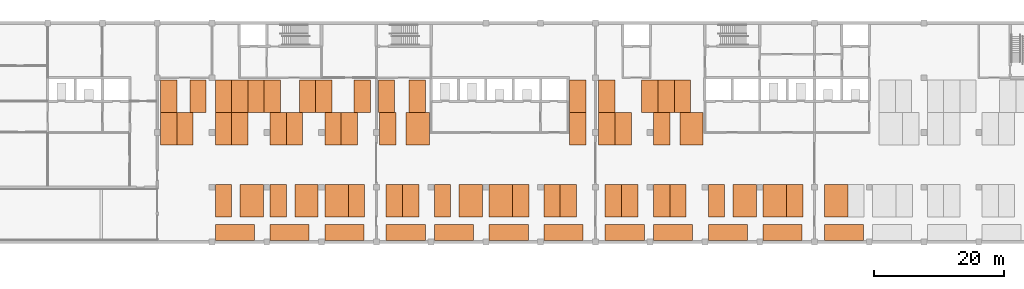
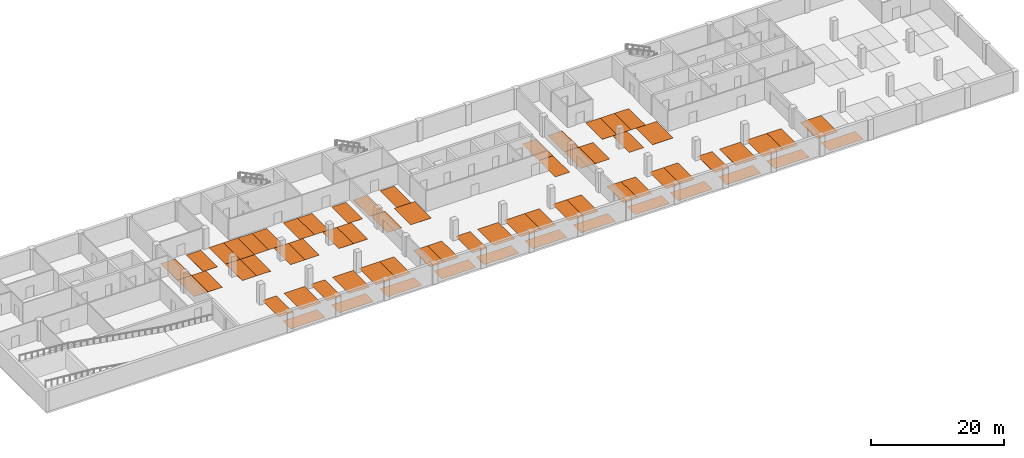
# One storey, part 13 of 14: 66 proxies.
"""IFC4 building model written with IfcOpenShell, lengths in metres."""

from ifc_helpers import new_model, si_unit, direction, frame, origin, place, context, subcontext, project, spatial, polyline, outline, extrude, material, type_object, element, save


model = new_model("IFC4")

# Units and contexts
model_context = context("Model", 3, precision=1e-05, world=origin(), true_north=direction((0.0, 1.0)))
body_context = subcontext(model_context, "Body", "Model", "MODEL_VIEW")
ifc_project = project(units=[si_unit("LENGTHUNIT", "METRE"), si_unit("AREAUNIT", "SQUARE_METRE"), si_unit("VOLUMEUNIT", "CUBIC_METRE"), si_unit("PLANEANGLEUNIT", "RADIAN"), si_unit("MASSUNIT", "GRAM", prefix="KILO")], contexts=[model_context])

# Site, building, storey
site_placement = place(None, origin())
site = spatial("IfcSite", under=ifc_project, at=site_placement, CompositionType="ELEMENT")
building_placement = place(site_placement, origin())
building = spatial("IfcBuilding", under=site, at=building_placement, Name="Yavir Park General Hospital", CompositionType="ELEMENT")
storey_placement = place(building_placement, frame((0.0, 0.0, -4.199951171875)))
storey = spatial("IfcBuildingStorey", under=building, at=storey_placement, Name="B1", CompositionType="ELEMENT", Elevation=-4.199951171875)

# Proxies
ifc_material_1 = material(Name="Floor marking paint, white")
building_element_proxy_type_1 = type_object("IfcBuildingElementProxyType", Name="Accessible parking bay marking", PredefinedType="ELEMENT", material=ifc_material_1)
proxy_1_placement = place(storey_placement, origin())
element("IfcBuildingElementProxy", 1, at=proxy_1_placement, inside=storey, type_object=building_element_proxy_type_1, Name="Accessible parking bay 5 marking, Car Park B", PredefinedType="ELEMENT", context=body_context, shape_type="SweptSolid", body=[
    extrude(outline(polyline([(46.2900390625, 3.85009765625), (49.889892578125, 3.85009765625), (49.889892578125, 8.85009765625), (46.2900390625, 8.85009765625), (46.2900390625, 3.85009765625)])), origin(), (0.0, 0.0, 1.0), 0.010009765625),
])
proxy_2_placement = place(storey_placement, origin())
element("IfcBuildingElementProxy", 2, at=proxy_2_placement, inside=storey, type_object=building_element_proxy_type_1, Name="Accessible parking bay 7 marking, Car Park B", PredefinedType="ELEMENT", context=body_context, shape_type="SweptSolid", body=[
    extrude(outline(polyline([(54.68994140625, 3.85009765625), (58.2900390625, 3.85009765625), (58.2900390625, 8.85009765625), (54.68994140625, 8.85009765625), (54.68994140625, 3.85009765625)])), origin(), (0.0, 0.0, 1.0), 0.010009765625),
])
proxy_3_placement = place(storey_placement, origin())
element("IfcBuildingElementProxy", 3, at=proxy_3_placement, inside=storey, type_object=building_element_proxy_type_1, Name="Accessible parking bay 8 marking, Car Park B", PredefinedType="ELEMENT", context=body_context, shape_type="SweptSolid", body=[
    extrude(outline(polyline([(59.31005859375, 3.85009765625), (62.909912109375, 3.85009765625), (62.909912109375, 8.85009765625), (59.31005859375, 8.85009765625), (59.31005859375, 3.85009765625)])), origin(), (0.0, 0.0, 1.0), 0.010009765625),
])
proxy_4_placement = place(storey_placement, origin())
element("IfcBuildingElementProxy", 4, at=proxy_4_placement, inside=storey, type_object=building_element_proxy_type_1, Name="Accessible parking bay 8 marking, Car Park C", PredefinedType="ELEMENT", context=body_context, shape_type="SweptSolid", body=[
    extrude(outline(polyline([(79.889892578125, 3.85009765625), (83.489990234375, 3.85009765625), (83.489990234375, 8.85009765625), (79.889892578125, 8.85009765625), (79.889892578125, 3.85009765625)])), origin(), (0.0, 0.0, 1.0), 0.010009765625),
])
proxy_5_placement = place(storey_placement, origin())
element("IfcBuildingElementProxy", 5, at=proxy_5_placement, inside=storey, type_object=building_element_proxy_type_1, Name="Accessible parking bay 9 marking, Car Park C", PredefinedType="ELEMENT", context=body_context, shape_type="SweptSolid", body=[
    extrude(outline(polyline([(84.510009765625, 3.85009765625), (88.110107421875, 3.85009765625), (88.110107421875, 8.85009765625), (84.510009765625, 8.85009765625), (84.510009765625, 3.85009765625)])), origin(), (0.0, 0.0, 1.0), 0.010009765625),
])
proxy_6_placement = place(storey_placement, origin())
element("IfcBuildingElementProxy", 6, at=proxy_6_placement, inside=storey, type_object=building_element_proxy_type_1, Name="Accessible parking bay 14 marking, Car Park C", PredefinedType="ELEMENT", context=body_context, shape_type="SweptSolid", body=[
    extrude(outline(polyline([(71.739990234375, 14.85009765625), (75.340087890625, 14.85009765625), (75.340087890625, 19.85009765625), (71.739990234375, 19.85009765625), (71.739990234375, 14.85009765625)])), origin(), (0.0, 0.0, 1.0), 0.010009765625),
])
proxy_7_placement = place(storey_placement, origin())
element("IfcBuildingElementProxy", 7, at=proxy_7_placement, inside=storey, type_object=building_element_proxy_type_1, Name="Accessible parking bay 10 marking, Car Park D", PredefinedType="ELEMENT", context=body_context, shape_type="SweptSolid", body=[
    extrude(outline(polyline([(121.889892578125, 3.85009765625), (125.489990234375, 3.85009765625), (125.489990234375, 8.85009765625), (121.889892578125, 8.85009765625), (121.889892578125, 3.85009765625)])), origin(), (0.0, 0.0, 1.0), 0.010009765625),
])
proxy_8_placement = place(storey_placement, origin())
element("IfcBuildingElementProxy", 8, at=proxy_8_placement, inside=storey, type_object=building_element_proxy_type_1, Name="Accessible parking bay 11 marking, Car Park D", PredefinedType="ELEMENT", context=body_context, shape_type="SweptSolid", body=[
    extrude(outline(polyline([(126.510009765625, 3.85009765625), (130.110107421875, 3.85009765625), (130.110107421875, 8.85009765625), (126.510009765625, 8.85009765625), (126.510009765625, 3.85009765625)])), origin(), (0.0, 0.0, 1.0), 0.010009765625),
])
proxy_9_placement = place(storey_placement, origin())
element("IfcBuildingElementProxy", 9, at=proxy_9_placement, inside=storey, type_object=building_element_proxy_type_1, Name="Accessible parking bay 16 marking, Car Park D", PredefinedType="ELEMENT", context=body_context, shape_type="SweptSolid", body=[
    extrude(outline(polyline([(113.739990234375, 14.85009765625), (117.340087890625, 14.85009765625), (117.340087890625, 19.85009765625), (113.739990234375, 19.85009765625), (113.739990234375, 14.85009765625)])), origin(), (0.0, 0.0, 1.0), 0.010009765625),
])
proxy_10_placement = place(storey_placement, origin())
element("IfcBuildingElementProxy", 10, at=proxy_10_placement, inside=storey, type_object=building_element_proxy_type_1, Name="Accessible parking bay 5 marking, Car Park E", PredefinedType="ELEMENT", context=body_context, shape_type="SweptSolid", body=[
    extrude(outline(polyline([(135.909912109375, 3.85009765625), (139.510009765625, 3.85009765625), (139.510009765625, 8.85009765625), (135.909912109375, 8.85009765625), (135.909912109375, 3.85009765625)])), origin(), (0.0, 0.0, 1.0), 0.010009765625),
])
ifc_material_2 = material(Name="Floor marking paint, white")
building_element_proxy_type_2 = type_object("IfcBuildingElementProxyType", Name="EV charging parking bay marking", PredefinedType="ELEMENT", material=ifc_material_2)
proxy_11_placement = place(storey_placement, origin())
element("IfcBuildingElementProxy", 11, at=proxy_11_placement, inside=storey, type_object=building_element_proxy_type_2, Name="EV charging parking bay 14 marking, Car Park B", PredefinedType="ELEMENT", context=body_context, shape_type="SweptSolid", body=[
    extrude(outline(polyline([(50.909912109375, 14.85009765625), (53.409912109375, 14.85009765625), (53.409912109375, 19.85009765625), (50.909912109375, 19.85009765625), (50.909912109375, 14.85009765625)])), origin(), (0.0, 0.0, 1.0), 0.010009765625),
])
proxy_12_placement = place(storey_placement, origin())
element("IfcBuildingElementProxy", 12, at=proxy_12_placement, inside=storey, type_object=building_element_proxy_type_2, Name="EV charging parking bay 22 marking, Car Park B", PredefinedType="ELEMENT", context=body_context, shape_type="SweptSolid", body=[
    extrude(outline(polyline([(47.510009765625, 19.85009765625), (50.010009765625, 19.85009765625), (50.010009765625, 24.85009765625), (47.510009765625, 24.85009765625), (47.510009765625, 19.85009765625)])), origin(), (0.0, 0.0, 1.0), 0.010009765625),
])
proxy_13_placement = place(storey_placement, origin())
element("IfcBuildingElementProxy", 13, at=proxy_13_placement, inside=storey, type_object=building_element_proxy_type_2, Name="EV charging parking bay 15 marking, Car Park C", PredefinedType="ELEMENT", context=body_context, shape_type="SweptSolid", body=[
    extrude(outline(polyline([(96.860107421875, 14.85009765625), (99.360107421875, 14.85009765625), (99.360107421875, 19.85009765625), (96.860107421875, 19.85009765625), (96.860107421875, 14.85009765625)])), origin(), (0.0, 0.0, 1.0), 0.010009765625),
])
proxy_14_placement = place(storey_placement, origin())
element("IfcBuildingElementProxy", 14, at=proxy_14_placement, inside=storey, type_object=building_element_proxy_type_2, Name="EV charging parking bay 3 marking, Car Park D", PredefinedType="ELEMENT", context=body_context, shape_type="SweptSolid", body=[
    extrude(outline(polyline([(118.110107421875, 2.64990234375), (118.110107421875, 0.25), (124.110107421875, 0.25), (124.110107421875, 2.64990234375), (118.110107421875, 2.64990234375)])), origin(), (0.0, 0.0, 1.0), 0.010009765625),
])
proxy_15_placement = place(storey_placement, origin())
element("IfcBuildingElementProxy", 15, at=proxy_15_placement, inside=storey, type_object=building_element_proxy_type_2, Name="EV charging parking bay 14 marking, Car Park D", PredefinedType="ELEMENT", context=body_context, shape_type="SweptSolid", body=[
    extrude(outline(polyline([(103.81005859375, 14.85009765625), (106.31005859375, 14.85009765625), (106.31005859375, 19.85009765625), (103.81005859375, 19.85009765625), (103.81005859375, 14.85009765625)])), origin(), (0.0, 0.0, 1.0), 0.010009765625),
])
ifc_material_3 = material(Name="Floor marking paint, white")
building_element_proxy_type_3 = type_object("IfcBuildingElementProxyType", Name="Parallel parking bay marking", PredefinedType="ELEMENT", material=ifc_material_3)
proxy_16_placement = place(storey_placement, origin())
element("IfcBuildingElementProxy", 16, at=proxy_16_placement, inside=storey, type_object=building_element_proxy_type_3, Name="Parallel parking bay 1 marking, Car Park B", PredefinedType="ELEMENT", context=body_context, shape_type="SweptSolid", body=[
    extrude(outline(polyline([(42.510009765625, 2.64990234375), (42.510009765625, 0.25), (48.510009765625, 0.25), (48.510009765625, 2.64990234375), (42.510009765625, 2.64990234375)])), origin(), (0.0, 0.0, 1.0), 0.010009765625),
])
proxy_17_placement = place(storey_placement, origin())
element("IfcBuildingElementProxy", 17, at=proxy_17_placement, inside=storey, type_object=building_element_proxy_type_3, Name="Parallel parking bay 2 marking, Car Park B", PredefinedType="ELEMENT", context=body_context, shape_type="SweptSolid", body=[
    extrude(outline(polyline([(50.909912109375, 2.64990234375), (50.909912109375, 0.25), (56.909912109375, 0.25), (56.909912109375, 2.64990234375), (50.909912109375, 2.64990234375)])), origin(), (0.0, 0.0, 1.0), 0.010009765625),
])
proxy_18_placement = place(storey_placement, origin())
element("IfcBuildingElementProxy", 18, at=proxy_18_placement, inside=storey, type_object=building_element_proxy_type_3, Name="Parallel parking bay 3 marking, Car Park B", PredefinedType="ELEMENT", context=body_context, shape_type="SweptSolid", body=[
    extrude(outline(polyline([(59.31005859375, 2.64990234375), (59.31005859375, 0.25), (65.31005859375, 0.25), (65.31005859375, 2.64990234375), (59.31005859375, 2.64990234375)])), origin(), (0.0, 0.0, 1.0), 0.010009765625),
])
proxy_19_placement = place(storey_placement, origin())
element("IfcBuildingElementProxy", 19, at=proxy_19_placement, inside=storey, type_object=building_element_proxy_type_3, Name="Parallel parking bay 1 marking, Car Park C", PredefinedType="ELEMENT", context=body_context, shape_type="SweptSolid", body=[
    extrude(outline(polyline([(68.7099609375, 2.64990234375), (68.7099609375, 0.25), (74.7099609375, 0.25), (74.7099609375, 2.64990234375), (68.7099609375, 2.64990234375)])), origin(), (0.0, 0.0, 1.0), 0.010009765625),
])
proxy_20_placement = place(storey_placement, origin())
element("IfcBuildingElementProxy", 20, at=proxy_20_placement, inside=storey, type_object=building_element_proxy_type_3, Name="Parallel parking bay 2 marking, Car Park C", PredefinedType="ELEMENT", context=body_context, shape_type="SweptSolid", body=[
    extrude(outline(polyline([(76.110107421875, 2.64990234375), (76.110107421875, 0.25), (82.110107421875, 0.25), (82.110107421875, 2.64990234375), (76.110107421875, 2.64990234375)])), origin(), (0.0, 0.0, 1.0), 0.010009765625),
])
proxy_21_placement = place(storey_placement, origin())
element("IfcBuildingElementProxy", 21, at=proxy_21_placement, inside=storey, type_object=building_element_proxy_type_3, Name="Parallel parking bay 3 marking, Car Park C", PredefinedType="ELEMENT", context=body_context, shape_type="SweptSolid", body=[
    extrude(outline(polyline([(84.510009765625, 2.64990234375), (84.510009765625, 0.25), (90.510009765625, 0.25), (90.510009765625, 2.64990234375), (84.510009765625, 2.64990234375)])), origin(), (0.0, 0.0, 1.0), 0.010009765625),
])
proxy_22_placement = place(storey_placement, origin())
element("IfcBuildingElementProxy", 22, at=proxy_22_placement, inside=storey, type_object=building_element_proxy_type_3, Name="Parallel parking bay 4 marking, Car Park C", PredefinedType="ELEMENT", context=body_context, shape_type="SweptSolid", body=[
    extrude(outline(polyline([(92.909912109375, 2.64990234375), (92.909912109375, 0.25), (98.909912109375, 0.25), (98.909912109375, 2.64990234375), (92.909912109375, 2.64990234375)])), origin(), (0.0, 0.0, 1.0), 0.010009765625),
])
proxy_23_placement = place(storey_placement, origin())
element("IfcBuildingElementProxy", 23, at=proxy_23_placement, inside=storey, type_object=building_element_proxy_type_3, Name="Parallel parking bay 1 marking, Car Park D", PredefinedType="ELEMENT", context=body_context, shape_type="SweptSolid", body=[
    extrude(outline(polyline([(102.31005859375, 2.64990234375), (102.31005859375, 0.25), (108.31005859375, 0.25), (108.31005859375, 2.64990234375), (102.31005859375, 2.64990234375)])), origin(), (0.0, 0.0, 1.0), 0.010009765625),
])
proxy_24_placement = place(storey_placement, origin())
element("IfcBuildingElementProxy", 24, at=proxy_24_placement, inside=storey, type_object=building_element_proxy_type_3, Name="Parallel parking bay 2 marking, Car Park D", PredefinedType="ELEMENT", context=body_context, shape_type="SweptSolid", body=[
    extrude(outline(polyline([(109.7099609375, 2.64990234375), (109.7099609375, 0.25), (115.7099609375, 0.25), (115.7099609375, 2.64990234375), (109.7099609375, 2.64990234375)])), origin(), (0.0, 0.0, 1.0), 0.010009765625),
])
proxy_25_placement = place(storey_placement, origin())
element("IfcBuildingElementProxy", 25, at=proxy_25_placement, inside=storey, type_object=building_element_proxy_type_3, Name="Parallel parking bay 4 marking, Car Park D", PredefinedType="ELEMENT", context=body_context, shape_type="SweptSolid", body=[
    extrude(outline(polyline([(126.510009765625, 2.64990234375), (126.510009765625, 0.25), (132.510009765625, 0.25), (132.510009765625, 2.64990234375), (126.510009765625, 2.64990234375)])), origin(), (0.0, 0.0, 1.0), 0.010009765625),
])
proxy_26_placement = place(storey_placement, origin())
element("IfcBuildingElementProxy", 26, at=proxy_26_placement, inside=storey, type_object=building_element_proxy_type_3, Name="Parallel parking bay 1 marking, Car Park E", PredefinedType="ELEMENT", context=body_context, shape_type="SweptSolid", body=[
    extrude(outline(polyline([(135.909912109375, 2.64990234375), (135.909912109375, 0.25), (141.909912109375, 0.25), (141.909912109375, 2.64990234375), (135.909912109375, 2.64990234375)])), origin(), (0.0, 0.0, 1.0), 0.010009765625),
])
ifc_material_4 = material(Name="Floor marking paint, white")
building_element_proxy_type_4 = type_object("IfcBuildingElementProxyType", Name="Parking bay marking", PredefinedType="ELEMENT", material=ifc_material_4)
proxy_27_placement = place(storey_placement, origin())
element("IfcBuildingElementProxy", 27, at=proxy_27_placement, inside=storey, type_object=building_element_proxy_type_4, Name="Parking bay 4 marking, Car Park B", PredefinedType="ELEMENT", context=body_context, shape_type="SweptSolid", body=[
    extrude(outline(polyline([(42.510009765625, 3.85009765625), (45.010009765625, 3.85009765625), (45.010009765625, 8.85009765625), (42.510009765625, 8.85009765625), (42.510009765625, 3.85009765625)])), origin(), (0.0, 0.0, 1.0), 0.010009765625),
])
proxy_28_placement = place(storey_placement, origin())
element("IfcBuildingElementProxy", 28, at=proxy_28_placement, inside=storey, type_object=building_element_proxy_type_4, Name="Parking bay 6 marking, Car Park B", PredefinedType="ELEMENT", context=body_context, shape_type="SweptSolid", body=[
    extrude(outline(polyline([(50.909912109375, 3.85009765625), (53.409912109375, 3.85009765625), (53.409912109375, 8.85009765625), (50.909912109375, 8.85009765625), (50.909912109375, 3.85009765625)])), origin(), (0.0, 0.0, 1.0), 0.010009765625),
])
proxy_29_placement = place(storey_placement, origin())
element("IfcBuildingElementProxy", 29, at=proxy_29_placement, inside=storey, type_object=building_element_proxy_type_4, Name="Parking bay 9 marking, Car Park B", PredefinedType="ELEMENT", context=body_context, shape_type="SweptSolid", body=[
    extrude(outline(polyline([(62.909912109375, 3.85009765625), (65.409912109375, 3.85009765625), (65.409912109375, 8.85009765625), (62.909912109375, 8.85009765625), (62.909912109375, 3.85009765625)])), origin(), (0.0, 0.0, 1.0), 0.010009765625),
])
proxy_30_placement = place(storey_placement, origin())
element("IfcBuildingElementProxy", 30, at=proxy_30_placement, inside=storey, type_object=building_element_proxy_type_4, Name="Parking bay 10 marking, Car Park B", PredefinedType="ELEMENT", context=body_context, shape_type="SweptSolid", body=[
    extrude(outline(polyline([(34.110107421875, 14.85009765625), (36.610107421875, 14.85009765625), (36.610107421875, 19.85009765625), (34.110107421875, 19.85009765625), (34.110107421875, 14.85009765625)])), origin(), (0.0, 0.0, 1.0), 0.010009765625),
])
proxy_31_placement = place(storey_placement, origin())
element("IfcBuildingElementProxy", 31, at=proxy_31_placement, inside=storey, type_object=building_element_proxy_type_4, Name="Parking bay 11 marking, Car Park B", PredefinedType="ELEMENT", context=body_context, shape_type="SweptSolid", body=[
    extrude(outline(polyline([(36.610107421875, 14.85009765625), (39.110107421875, 14.85009765625), (39.110107421875, 19.85009765625), (36.610107421875, 19.85009765625), (36.610107421875, 14.85009765625)])), origin(), (0.0, 0.0, 1.0), 0.010009765625),
])
proxy_32_placement = place(storey_placement, origin())
element("IfcBuildingElementProxy", 32, at=proxy_32_placement, inside=storey, type_object=building_element_proxy_type_4, Name="Parking bay 12 marking, Car Park B", PredefinedType="ELEMENT", context=body_context, shape_type="SweptSolid", body=[
    extrude(outline(polyline([(42.510009765625, 14.85009765625), (45.010009765625, 14.85009765625), (45.010009765625, 19.85009765625), (42.510009765625, 19.85009765625), (42.510009765625, 14.85009765625)])), origin(), (0.0, 0.0, 1.0), 0.010009765625),
])
proxy_33_placement = place(storey_placement, origin())
element("IfcBuildingElementProxy", 33, at=proxy_33_placement, inside=storey, type_object=building_element_proxy_type_4, Name="Parking bay 13 marking, Car Park B", PredefinedType="ELEMENT", context=body_context, shape_type="SweptSolid", body=[
    extrude(outline(polyline([(45.010009765625, 14.85009765625), (47.510009765625, 14.85009765625), (47.510009765625, 19.85009765625), (45.010009765625, 19.85009765625), (45.010009765625, 14.85009765625)])), origin(), (0.0, 0.0, 1.0), 0.010009765625),
])
proxy_34_placement = place(storey_placement, origin())
element("IfcBuildingElementProxy", 34, at=proxy_34_placement, inside=storey, type_object=building_element_proxy_type_4, Name="Parking bay 15 marking, Car Park B", PredefinedType="ELEMENT", context=body_context, shape_type="SweptSolid", body=[
    extrude(outline(polyline([(53.409912109375, 14.85009765625), (55.909912109375, 14.85009765625), (55.909912109375, 19.85009765625), (53.409912109375, 19.85009765625), (53.409912109375, 14.85009765625)])), origin(), (0.0, 0.0, 1.0), 0.010009765625),
])
proxy_35_placement = place(storey_placement, origin())
element("IfcBuildingElementProxy", 35, at=proxy_35_placement, inside=storey, type_object=building_element_proxy_type_4, Name="Parking bay 16 marking, Car Park B", PredefinedType="ELEMENT", context=body_context, shape_type="SweptSolid", body=[
    extrude(outline(polyline([(59.31005859375, 14.85009765625), (61.81005859375, 14.85009765625), (61.81005859375, 19.85009765625), (59.31005859375, 19.85009765625), (59.31005859375, 14.85009765625)])), origin(), (0.0, 0.0, 1.0), 0.010009765625),
])
proxy_36_placement = place(storey_placement, origin())
element("IfcBuildingElementProxy", 36, at=proxy_36_placement, inside=storey, type_object=building_element_proxy_type_4, Name="Parking bay 17 marking, Car Park B", PredefinedType="ELEMENT", context=body_context, shape_type="SweptSolid", body=[
    extrude(outline(polyline([(61.81005859375, 14.85009765625), (64.31005859375, 14.85009765625), (64.31005859375, 19.85009765625), (61.81005859375, 19.85009765625), (61.81005859375, 14.85009765625)])), origin(), (0.0, 0.0, 1.0), 0.010009765625),
])
proxy_37_placement = place(storey_placement, origin())
element("IfcBuildingElementProxy", 37, at=proxy_37_placement, inside=storey, type_object=building_element_proxy_type_4, Name="Parking bay 18 marking, Car Park B", PredefinedType="ELEMENT", context=body_context, shape_type="SweptSolid", body=[
    extrude(outline(polyline([(34.110107421875, 19.85009765625), (36.610107421875, 19.85009765625), (36.610107421875, 24.85009765625), (34.110107421875, 24.85009765625), (34.110107421875, 19.85009765625)])), origin(), (0.0, 0.0, 1.0), 0.010009765625),
])
proxy_38_placement = place(storey_placement, origin())
element("IfcBuildingElementProxy", 38, at=proxy_38_placement, inside=storey, type_object=building_element_proxy_type_4, Name="Parking bay 19 marking, Car Park B", PredefinedType="ELEMENT", context=body_context, shape_type="SweptSolid", body=[
    extrude(outline(polyline([(38.610107421875, 19.85009765625), (41.110107421875, 19.85009765625), (41.110107421875, 24.85009765625), (38.610107421875, 24.85009765625), (38.610107421875, 19.85009765625)])), origin(), (0.0, 0.0, 1.0), 0.010009765625),
])
proxy_39_placement = place(storey_placement, origin())
element("IfcBuildingElementProxy", 39, at=proxy_39_placement, inside=storey, type_object=building_element_proxy_type_4, Name="Parking bay 20 marking, Car Park B", PredefinedType="ELEMENT", context=body_context, shape_type="SweptSolid", body=[
    extrude(outline(polyline([(42.510009765625, 19.85009765625), (45.010009765625, 19.85009765625), (45.010009765625, 24.85009765625), (42.510009765625, 24.85009765625), (42.510009765625, 19.85009765625)])), origin(), (0.0, 0.0, 1.0), 0.010009765625),
])
proxy_40_placement = place(storey_placement, origin())
element("IfcBuildingElementProxy", 40, at=proxy_40_placement, inside=storey, type_object=building_element_proxy_type_4, Name="Parking bay 21 marking, Car Park B", PredefinedType="ELEMENT", context=body_context, shape_type="SweptSolid", body=[
    extrude(outline(polyline([(45.010009765625, 19.85009765625), (47.510009765625, 19.85009765625), (47.510009765625, 24.85009765625), (45.010009765625, 24.85009765625), (45.010009765625, 19.85009765625)])), origin(), (0.0, 0.0, 1.0), 0.010009765625),
])
proxy_41_placement = place(storey_placement, origin())
element("IfcBuildingElementProxy", 41, at=proxy_41_placement, inside=storey, type_object=building_element_proxy_type_4, Name="Parking bay 23 marking, Car Park B", PredefinedType="ELEMENT", context=body_context, shape_type="SweptSolid", body=[
    extrude(outline(polyline([(50.010009765625, 19.85009765625), (52.510009765625, 19.85009765625), (52.510009765625, 24.85009765625), (50.010009765625, 24.85009765625), (50.010009765625, 19.85009765625)])), origin(), (0.0, 0.0, 1.0), 0.010009765625),
])
proxy_42_placement = place(storey_placement, origin())
element("IfcBuildingElementProxy", 42, at=proxy_42_placement, inside=storey, type_object=building_element_proxy_type_4, Name="Parking bay 24 marking, Car Park B", PredefinedType="ELEMENT", context=body_context, shape_type="SweptSolid", body=[
    extrude(outline(polyline([(55.409912109375, 19.85009765625), (57.909912109375, 19.85009765625), (57.909912109375, 24.85009765625), (55.409912109375, 24.85009765625), (55.409912109375, 19.85009765625)])), origin(), (0.0, 0.0, 1.0), 0.010009765625),
])
proxy_43_placement = place(storey_placement, origin())
element("IfcBuildingElementProxy", 43, at=proxy_43_placement, inside=storey, type_object=building_element_proxy_type_4, Name="Parking bay 25 marking, Car Park B", PredefinedType="ELEMENT", context=body_context, shape_type="SweptSolid", body=[
    extrude(outline(polyline([(57.909912109375, 19.85009765625), (60.409912109375, 19.85009765625), (60.409912109375, 24.85009765625), (57.909912109375, 24.85009765625), (57.909912109375, 19.85009765625)])), origin(), (0.0, 0.0, 1.0), 0.010009765625),
])
proxy_44_placement = place(storey_placement, origin())
element("IfcBuildingElementProxy", 44, at=proxy_44_placement, inside=storey, type_object=building_element_proxy_type_4, Name="Parking bay 26 marking, Car Park B", PredefinedType="ELEMENT", context=body_context, shape_type="SweptSolid", body=[
    extrude(outline(polyline([(63.81005859375, 19.85009765625), (66.31005859375, 19.85009765625), (66.31005859375, 24.85009765625), (63.81005859375, 24.85009765625), (63.81005859375, 19.85009765625)])), origin(), (0.0, 0.0, 1.0), 0.010009765625),
])
proxy_45_placement = place(storey_placement, origin())
element("IfcBuildingElementProxy", 45, at=proxy_45_placement, inside=storey, type_object=building_element_proxy_type_4, Name="Parking bay 5 marking, Car Park C", PredefinedType="ELEMENT", context=body_context, shape_type="SweptSolid", body=[
    extrude(outline(polyline([(68.7099609375, 3.85009765625), (71.2099609375, 3.85009765625), (71.2099609375, 8.85009765625), (68.7099609375, 8.85009765625), (68.7099609375, 3.85009765625)])), origin(), (0.0, 0.0, 1.0), 0.010009765625),
])
proxy_46_placement = place(storey_placement, origin())
element("IfcBuildingElementProxy", 46, at=proxy_46_placement, inside=storey, type_object=building_element_proxy_type_4, Name="Parking bay 6 marking, Car Park C", PredefinedType="ELEMENT", context=body_context, shape_type="SweptSolid", body=[
    extrude(outline(polyline([(71.2099609375, 3.85009765625), (73.7099609375, 3.85009765625), (73.7099609375, 8.85009765625), (71.2099609375, 8.85009765625), (71.2099609375, 3.85009765625)])), origin(), (0.0, 0.0, 1.0), 0.010009765625),
])
proxy_47_placement = place(storey_placement, origin())
element("IfcBuildingElementProxy", 47, at=proxy_47_placement, inside=storey, type_object=building_element_proxy_type_4, Name="Parking bay 7 marking, Car Park C", PredefinedType="ELEMENT", context=body_context, shape_type="SweptSolid", body=[
    extrude(outline(polyline([(76.110107421875, 3.85009765625), (78.610107421875, 3.85009765625), (78.610107421875, 8.85009765625), (76.110107421875, 8.85009765625), (76.110107421875, 3.85009765625)])), origin(), (0.0, 0.0, 1.0), 0.010009765625),
])
proxy_48_placement = place(storey_placement, origin())
element("IfcBuildingElementProxy", 48, at=proxy_48_placement, inside=storey, type_object=building_element_proxy_type_4, Name="Parking bay 10 marking, Car Park C", PredefinedType="ELEMENT", context=body_context, shape_type="SweptSolid", body=[
    extrude(outline(polyline([(88.110107421875, 3.85009765625), (90.610107421875, 3.85009765625), (90.610107421875, 8.85009765625), (88.110107421875, 8.85009765625), (88.110107421875, 3.85009765625)])), origin(), (0.0, 0.0, 1.0), 0.010009765625),
])
proxy_49_placement = place(storey_placement, origin())
element("IfcBuildingElementProxy", 49, at=proxy_49_placement, inside=storey, type_object=building_element_proxy_type_4, Name="Parking bay 11 marking, Car Park C", PredefinedType="ELEMENT", context=body_context, shape_type="SweptSolid", body=[
    extrude(outline(polyline([(92.909912109375, 3.85009765625), (95.409912109375, 3.85009765625), (95.409912109375, 8.85009765625), (92.909912109375, 8.85009765625), (92.909912109375, 3.85009765625)])), origin(), (0.0, 0.0, 1.0), 0.010009765625),
])
proxy_50_placement = place(storey_placement, origin())
element("IfcBuildingElementProxy", 50, at=proxy_50_placement, inside=storey, type_object=building_element_proxy_type_4, Name="Parking bay 12 marking, Car Park C", PredefinedType="ELEMENT", context=body_context, shape_type="SweptSolid", body=[
    extrude(outline(polyline([(95.409912109375, 3.85009765625), (97.909912109375, 3.85009765625), (97.909912109375, 8.85009765625), (95.409912109375, 8.85009765625), (95.409912109375, 3.85009765625)])), origin(), (0.0, 0.0, 1.0), 0.010009765625),
])
proxy_51_placement = place(storey_placement, origin())
element("IfcBuildingElementProxy", 51, at=proxy_51_placement, inside=storey, type_object=building_element_proxy_type_4, Name="Parking bay 13 marking, Car Park C", PredefinedType="ELEMENT", context=body_context, shape_type="SweptSolid", body=[
    extrude(outline(polyline([(67.7099609375, 14.85009765625), (70.2099609375, 14.85009765625), (70.2099609375, 19.85009765625), (67.7099609375, 19.85009765625), (67.7099609375, 14.85009765625)])), origin(), (0.0, 0.0, 1.0), 0.010009765625),
])
proxy_52_placement = place(storey_placement, origin())
element("IfcBuildingElementProxy", 52, at=proxy_52_placement, inside=storey, type_object=building_element_proxy_type_4, Name="Parking bay 16 marking, Car Park C", PredefinedType="ELEMENT", context=body_context, shape_type="SweptSolid", body=[
    extrude(outline(polyline([(67.5, 19.85009765625), (70.0, 19.85009765625), (70.0, 24.85009765625), (67.5, 24.85009765625), (67.5, 19.85009765625)])), origin(), (0.0, 0.0, 1.0), 0.010009765625),
])
proxy_53_placement = place(storey_placement, origin())
element("IfcBuildingElementProxy", 53, at=proxy_53_placement, inside=storey, type_object=building_element_proxy_type_4, Name="Parking bay 17 marking, Car Park C", PredefinedType="ELEMENT", context=body_context, shape_type="SweptSolid", body=[
    extrude(outline(polyline([(72.2099609375, 19.85009765625), (74.7099609375, 19.85009765625), (74.7099609375, 24.85009765625), (72.2099609375, 24.85009765625), (72.2099609375, 19.85009765625)])), origin(), (0.0, 0.0, 1.0), 0.010009765625),
])
proxy_54_placement = place(storey_placement, origin())
element("IfcBuildingElementProxy", 54, at=proxy_54_placement, inside=storey, type_object=building_element_proxy_type_4, Name="Parking bay 18 marking, Car Park C", PredefinedType="ELEMENT", context=body_context, shape_type="SweptSolid", body=[
    extrude(outline(polyline([(96.860107421875, 19.85009765625), (99.360107421875, 19.85009765625), (99.360107421875, 24.85009765625), (96.860107421875, 24.85009765625), (96.860107421875, 19.85009765625)])), origin(), (0.0, 0.0, 1.0), 0.010009765625),
])
proxy_55_placement = place(storey_placement, origin())
element("IfcBuildingElementProxy", 55, at=proxy_55_placement, inside=storey, type_object=building_element_proxy_type_4, Name="Parking bay 5 marking, Car Park D", PredefinedType="ELEMENT", context=body_context, shape_type="SweptSolid", body=[
    extrude(outline(polyline([(102.31005859375, 3.85009765625), (104.81005859375, 3.85009765625), (104.81005859375, 8.85009765625), (102.31005859375, 8.85009765625), (102.31005859375, 3.85009765625)])), origin(), (0.0, 0.0, 1.0), 0.010009765625),
])
proxy_56_placement = place(storey_placement, origin())
element("IfcBuildingElementProxy", 56, at=proxy_56_placement, inside=storey, type_object=building_element_proxy_type_4, Name="Parking bay 6 marking, Car Park D", PredefinedType="ELEMENT", context=body_context, shape_type="SweptSolid", body=[
    extrude(outline(polyline([(104.81005859375, 3.85009765625), (107.31005859375, 3.85009765625), (107.31005859375, 8.85009765625), (104.81005859375, 8.85009765625), (104.81005859375, 3.85009765625)])), origin(), (0.0, 0.0, 1.0), 0.010009765625),
])
proxy_57_placement = place(storey_placement, origin())
element("IfcBuildingElementProxy", 57, at=proxy_57_placement, inside=storey, type_object=building_element_proxy_type_4, Name="Parking bay 7 marking, Car Park D", PredefinedType="ELEMENT", context=body_context, shape_type="SweptSolid", body=[
    extrude(outline(polyline([(109.7099609375, 3.85009765625), (112.2099609375, 3.85009765625), (112.2099609375, 8.85009765625), (109.7099609375, 8.85009765625), (109.7099609375, 3.85009765625)])), origin(), (0.0, 0.0, 1.0), 0.010009765625),
])
proxy_58_placement = place(storey_placement, origin())
element("IfcBuildingElementProxy", 58, at=proxy_58_placement, inside=storey, type_object=building_element_proxy_type_4, Name="Parking bay 8 marking, Car Park D", PredefinedType="ELEMENT", context=body_context, shape_type="SweptSolid", body=[
    extrude(outline(polyline([(112.2099609375, 3.85009765625), (114.7099609375, 3.85009765625), (114.7099609375, 8.85009765625), (112.2099609375, 8.85009765625), (112.2099609375, 3.85009765625)])), origin(), (0.0, 0.0, 1.0), 0.010009765625),
])
proxy_59_placement = place(storey_placement, origin())
element("IfcBuildingElementProxy", 59, at=proxy_59_placement, inside=storey, type_object=building_element_proxy_type_4, Name="Parking bay 9 marking, Car Park D", PredefinedType="ELEMENT", context=body_context, shape_type="SweptSolid", body=[
    extrude(outline(polyline([(118.110107421875, 3.85009765625), (120.610107421875, 3.85009765625), (120.610107421875, 8.85009765625), (118.110107421875, 8.85009765625), (118.110107421875, 3.85009765625)])), origin(), (0.0, 0.0, 1.0), 0.010009765625),
])
proxy_60_placement = place(storey_placement, origin())
element("IfcBuildingElementProxy", 60, at=proxy_60_placement, inside=storey, type_object=building_element_proxy_type_4, Name="Parking bay 12 marking, Car Park D", PredefinedType="ELEMENT", context=body_context, shape_type="SweptSolid", body=[
    extrude(outline(polyline([(130.110107421875, 3.85009765625), (132.610107421875, 3.85009765625), (132.610107421875, 8.85009765625), (130.110107421875, 8.85009765625), (130.110107421875, 3.85009765625)])), origin(), (0.0, 0.0, 1.0), 0.010009765625),
])
proxy_61_placement = place(storey_placement, origin())
element("IfcBuildingElementProxy", 61, at=proxy_61_placement, inside=storey, type_object=building_element_proxy_type_4, Name="Parking bay 13 marking, Car Park D", PredefinedType="ELEMENT", context=body_context, shape_type="SweptSolid", body=[
    extrude(outline(polyline([(101.31005859375, 14.85009765625), (103.81005859375, 14.85009765625), (103.81005859375, 19.85009765625), (101.31005859375, 19.85009765625), (101.31005859375, 14.85009765625)])), origin(), (0.0, 0.0, 1.0), 0.010009765625),
])
proxy_62_placement = place(storey_placement, origin())
element("IfcBuildingElementProxy", 62, at=proxy_62_placement, inside=storey, type_object=building_element_proxy_type_4, Name="Parking bay 15 marking, Car Park D", PredefinedType="ELEMENT", context=body_context, shape_type="SweptSolid", body=[
    extrude(outline(polyline([(109.7099609375, 14.85009765625), (112.2099609375, 14.85009765625), (112.2099609375, 19.85009765625), (109.7099609375, 19.85009765625), (109.7099609375, 14.85009765625)])), origin(), (0.0, 0.0, 1.0), 0.010009765625),
])
proxy_63_placement = place(storey_placement, origin())
element("IfcBuildingElementProxy", 63, at=proxy_63_placement, inside=storey, type_object=building_element_proxy_type_4, Name="Parking bay 17 marking, Car Park D", PredefinedType="ELEMENT", context=body_context, shape_type="SweptSolid", body=[
    extrude(outline(polyline([(101.31005859375, 19.85009765625), (103.81005859375, 19.85009765625), (103.81005859375, 24.85009765625), (101.31005859375, 24.85009765625), (101.31005859375, 19.85009765625)])), origin(), (0.0, 0.0, 1.0), 0.010009765625),
])
proxy_64_placement = place(storey_placement, origin())
element("IfcBuildingElementProxy", 64, at=proxy_64_placement, inside=storey, type_object=building_element_proxy_type_4, Name="Parking bay 18 marking, Car Park D", PredefinedType="ELEMENT", context=body_context, shape_type="SweptSolid", body=[
    extrude(outline(polyline([(107.909912109375, 19.85009765625), (110.409912109375, 19.85009765625), (110.409912109375, 24.85009765625), (107.909912109375, 24.85009765625), (107.909912109375, 19.85009765625)])), origin(), (0.0, 0.0, 1.0), 0.010009765625),
])
proxy_65_placement = place(storey_placement, origin())
element("IfcBuildingElementProxy", 65, at=proxy_65_placement, inside=storey, type_object=building_element_proxy_type_4, Name="Parking bay 19 marking, Car Park D", PredefinedType="ELEMENT", context=body_context, shape_type="SweptSolid", body=[
    extrude(outline(polyline([(110.409912109375, 19.85009765625), (112.909912109375, 19.85009765625), (112.909912109375, 24.85009765625), (110.409912109375, 24.85009765625), (110.409912109375, 19.85009765625)])), origin(), (0.0, 0.0, 1.0), 0.010009765625),
])
proxy_66_placement = place(storey_placement, origin())
element("IfcBuildingElementProxy", 66, at=proxy_66_placement, inside=storey, type_object=building_element_proxy_type_4, Name="Parking bay 20 marking, Car Park D", PredefinedType="ELEMENT", context=body_context, shape_type="SweptSolid", body=[
    extrude(outline(polyline([(112.909912109375, 19.85009765625), (115.409912109375, 19.85009765625), (115.409912109375, 24.85009765625), (112.909912109375, 24.85009765625), (112.909912109375, 19.85009765625)])), origin(), (0.0, 0.0, 1.0), 0.010009765625),
])

save(model, "model.ifc")
